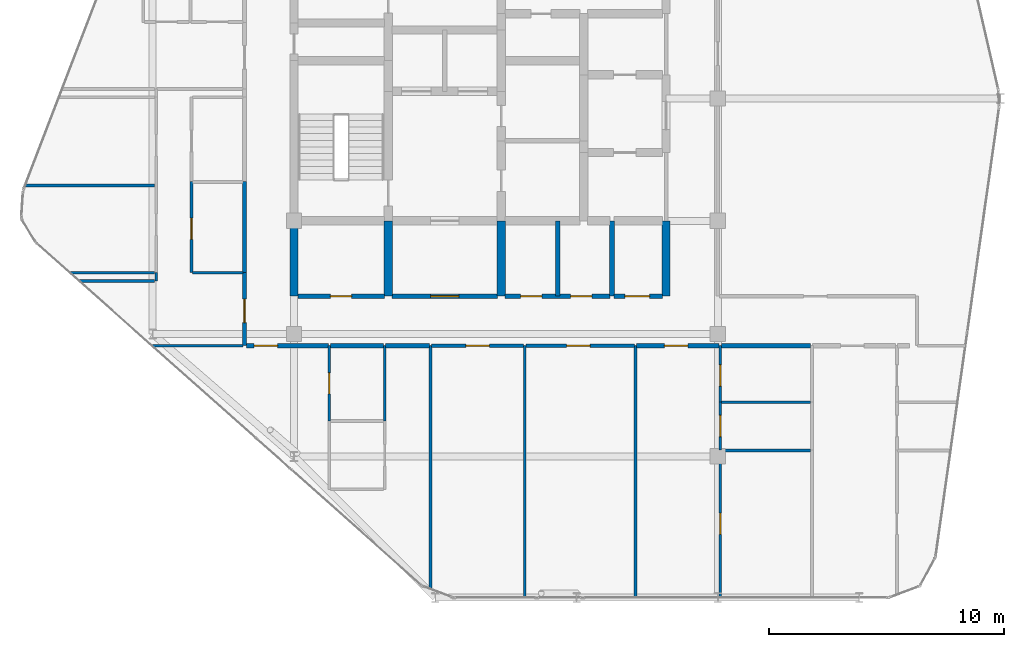
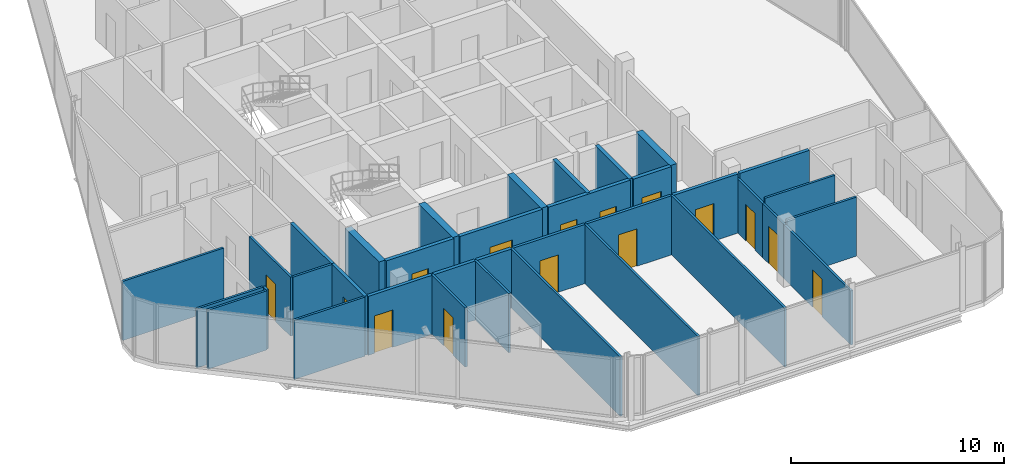
# One storey, part 22 of 27: 36 walls, 15 doors, 15 openings.
"""IFC4 building model written with IfcOpenShell, lengths in metres."""

from ifc_helpers import new_model, si_unit, direction, frame, frame_2d, origin, place, context, subcontext, project, spatial, rectangle, extrude, material, layer, layer_set, type_object, element, fill, save


model = new_model("IFC4")

# Units and contexts
model_context = context("Model", 3, precision=1e-05, world=origin(), true_north=direction((0.0, 1.0)))
body_context = subcontext(model_context, "Body", "Model", "MODEL_VIEW")
ifc_project = project(units=[si_unit("LENGTHUNIT", "METRE"), si_unit("AREAUNIT", "SQUARE_METRE"), si_unit("VOLUMEUNIT", "CUBIC_METRE"), si_unit("PLANEANGLEUNIT", "RADIAN"), si_unit("MASSUNIT", "GRAM", prefix="KILO")], contexts=[model_context])

# Site, building, storey
site_placement = place(None, origin())
site = spatial("IfcSite", under=ifc_project, at=site_placement, CompositionType="ELEMENT")
building_placement = place(site_placement, origin())
building = spatial("IfcBuilding", under=site, at=building_placement, Name="Keshet Zoharim Tower", CompositionType="ELEMENT")
storey_placement = place(building_placement, frame((0.0, 0.0, 284.300048828125)))
storey = spatial("IfcBuildingStorey", under=building, at=storey_placement, Name="L71", CompositionType="ELEMENT", Elevation=284.300048828125)

# Wall, opening, door
ifc_material_1 = material(Name="Gypsum Plasterboard", Category="gypsum")
ifc_layer_1 = layer(ifc_material_1, 0.14990234375)
ifc_layer_set_1 = layer_set([ifc_layer_1], Name="Gypsum Plasterboard")
wall_type_1 = type_object("IfcWallType", Name="WL-CLIN-150", PredefinedType="STANDARD", material=ifc_layer_set_1)
wall_1_placement = place(storey_placement, frame((20.844970703125, 17.39990234375, 0.0), z_axis=(0.0, 0.0, 1.0), x_axis=(1.0, 0.0, 0.0)))
wall_1 = element("IfcWall", 1, at=wall_1_placement, inside=storey, type_object=wall_type_1, Name="L71 Interior Wall 092", PredefinedType="STANDARD", context=body_context, shape_type="SweptSolid", body=[
    extrude(rectangle(XDim=3.909912109375, YDim=0.14990234375, at=frame_2d((1.955078125, 0.0))), origin(), (0.0, 0.0, 1.0), 3.389892578125),
])
opening_1_placement = place(wall_1_placement, frame((1.455078125, 0.0, 0.0)))
opening_1 = element("IfcOpeningElement", 2, at=opening_1_placement, cuts=wall_1, Name="Opening D-F310", PredefinedType="OPENING", context=body_context, shape_type="SweptSolid", body=[
    extrude(rectangle(XDim=1.0, YDim=2.14990234375, at=frame_2d((0.5, 1.074951171875))), frame((0.0, 0.0849609375, 0.0), z_axis=(0.0, -1.0, 0.0), x_axis=(1.0, 0.0, 0.0)), (0.0, 0.0, 1.0), 0.169921875),
])
ifc_material_2 = material(Name="Hardwood Timber", Category="wood")
door_type_1 = type_object("IfcDoorType", Name="DR-FD30-100", OperationType="NOTDEFINED", PredefinedType="DOOR", material=ifc_material_2)
door_1_placement = place(opening_1_placement, origin())
door_1 = element("IfcDoor", 3, at=door_1_placement, inside=storey, type_object=door_type_1, Name="L71 Residents Music Studio Door", OperationType="SINGLE_SWING_LEFT", OverallHeight=2.14990234375, OverallWidth=1.0, PredefinedType="DOOR", context=body_context, shape_type="SweptSolid", body=[
    extrude(rectangle(XDim=1.0, YDim=2.14990234375, at=frame_2d((0.5, 1.074951171875))), frame((0.0, 0.02490234375, 0.0), z_axis=(0.0, -1.0, 0.0), x_axis=(1.0, 0.0, 0.0)), (0.0, 0.0, 1.0), 0.050048828125),
])
fill(opening_1, door_1)

wall_2_placement = place(storey_placement, frame((24.844970703125, 17.39990234375, 0.0), z_axis=(0.0, 0.0, 1.0), x_axis=(1.0, 0.0, 0.0)))
wall_2 = element("IfcWall", 4, at=wall_2_placement, inside=storey, type_object=wall_type_1, Name="L71 Interior Wall 093", PredefinedType="STANDARD", context=body_context, shape_type="SweptSolid", body=[
    extrude(rectangle(XDim=4.610107421875, YDim=0.14990234375, at=frame_2d((2.30517578125, 0.0))), origin(), (0.0, 0.0, 1.0), 3.389892578125),
])
opening_2_placement = place(wall_2_placement, frame((1.73388671875, 0.0, 0.0)))
opening_2 = element("IfcOpeningElement", 5, at=opening_2_placement, cuts=wall_2, Name="Opening D-F310", PredefinedType="OPENING", context=body_context, shape_type="SweptSolid", body=[
    extrude(rectangle(XDim=1.0, YDim=2.14990234375, at=frame_2d((0.5, 1.074951171875))), frame((0.0, 0.0849609375, 0.0), z_axis=(0.0, -1.0, 0.0), x_axis=(1.0, 0.0, 0.0)), (0.0, 0.0, 1.0), 0.169921875),
])
door_2_placement = place(opening_2_placement, origin())
door_2 = element("IfcDoor", 6, at=door_2_placement, inside=storey, type_object=door_type_1, Name="L71 Residents Art Workshop Door", OperationType="SINGLE_SWING_RIGHT", OverallHeight=2.14990234375, OverallWidth=1.0, PredefinedType="DOOR", context=body_context, shape_type="SweptSolid", body=[
    extrude(rectangle(XDim=1.0, YDim=2.14990234375, at=frame_2d((0.5, 1.074951171875))), frame((0.0, 0.02490234375, 0.0), z_axis=(0.0, -1.0, 0.0), x_axis=(1.0, 0.0, 0.0)), (0.0, 0.0, 1.0), 0.050048828125),
])
fill(opening_2, door_2)

# Walls
ifc_material_3 = material(Name="Concrete C60/75", Category="concrete")
ifc_layer_2 = layer(ifc_material_3, 0.35009765625)
ifc_layer_set_2 = layer_set([ifc_layer_2], Name="Concrete C60/75")
wall_type_2 = type_object("IfcWallType", Name="WL-CORE-350", PredefinedType="SHEAR", material=ifc_layer_set_2)
for number, where, z_axis, x_axis, name in (
    (7, (15.0, 19.5, 0.0), (0.0, 0.0, 1.0), (0.0, 1.0, 0.0), "L71 Core Shear Wall 016"),
    (8, (19.0, 19.5, 0.0), (0.0, 0.0, 1.0), (0.0, 1.0, 0.0), "L71 Core Shear Wall 026"),
    (9, (23.800048828125, 19.5, 0.0), (0.0, 0.0, 1.0), (0.0, 1.0, 0.0), "L71 Core Shear Wall 038"),
    (10, (30.800048828125, 19.5, 0.0), (0.0, 0.0, 1.0), (0.0, 1.0, 0.0), "L71 Core Shear Wall 058"),
):
    element("IfcWall", number, at=place(storey_placement, frame(where, z_axis=z_axis, x_axis=x_axis)), inside=storey, type_object=wall_type_2, Name=name, PredefinedType="SHEAR", context=body_context, shape_type="SweptSolid", body=[
        extrude(rectangle(XDim=3.199951171875, YDim=0.35009765625, at=frame_2d((1.60009765625, 0.0))), origin(), (0.0, 0.0, 1.0), 3.389892578125),
    ])

# Wall, opening, door
ifc_layer_3 = layer(ifc_material_1, 0.179931640625)
ifc_layer_set_3 = layer_set([ifc_layer_3], Name="Gypsum Plasterboard")
wall_type_3 = type_object("IfcWallType", Name="WL-CORR-180", PredefinedType="STANDARD", material=ifc_layer_set_3)
wall_3_placement = place(storey_placement, frame((12.89990234375, 17.39990234375, 0.0), z_axis=(0.0, 0.0, 1.0), x_axis=(0.0, 1.0, 0.0)))
wall_3 = element("IfcWall", 11, at=wall_3_placement, inside=storey, type_object=wall_type_3, Name="L71 Interior Wall 008", PredefinedType="STANDARD", context=body_context, shape_type="SweptSolid", body=[
    extrude(rectangle(XDim=3.10009765625, YDim=0.179931640625, at=frame_2d((1.550048828125, 0.0))), origin(), (0.0, 0.0, 1.0), 3.389892578125),
])
opening_3_placement = place(wall_3_placement, frame((0.97802734375, 0.0, 0.0)))
opening_3 = element("IfcOpeningElement", 12, at=opening_3_placement, cuts=wall_3, Name="Opening D-F310", PredefinedType="OPENING", context=body_context, shape_type="SweptSolid", body=[
    extrude(rectangle(XDim=1.0, YDim=2.14990234375, at=frame_2d((0.5, 1.074951171875))), frame((0.0, 0.10009765625, 0.0), z_axis=(0.0, -1.0, 0.0), x_axis=(1.0, 0.0, 0.0)), (0.0, 0.0, 1.0), 0.199951171875),
])
door_3_placement = place(opening_3_placement, origin())
door_3 = element("IfcDoor", 13, at=door_3_placement, inside=storey, type_object=door_type_1, Name="Apartment 7107 Entrance Door", OperationType="SINGLE_SWING_LEFT", OverallHeight=2.14990234375, OverallWidth=1.0, PredefinedType="DOOR", context=body_context, shape_type="SweptSolid", body=[
    extrude(rectangle(XDim=1.0, YDim=2.14990234375, at=frame_2d((0.5, 1.074951171875))), frame((0.0, 0.02490234375, 0.0), z_axis=(0.0, -1.0, 0.0), x_axis=(1.0, 0.0, 0.0)), (0.0, 0.0, 1.0), 0.050048828125),
])
fill(opening_3, door_3)

# Wall
wall_4_placement = place(storey_placement, frame((12.89990234375, 20.5, 0.0), z_axis=(0.0, 0.0, 1.0), x_axis=(0.0, 1.0, 0.0)))
element("IfcWall", 14, at=wall_4_placement, inside=storey, type_object=wall_type_3, Name="L71 Interior Wall 009", PredefinedType="STANDARD", context=body_context, shape_type="SweptSolid", body=[
    extrude(rectangle(XDim=3.8740234375, YDim=0.179931640625, at=frame_2d((1.93701171875, 0.0))), origin(), (0.0, 0.0, 1.0), 3.389892578125),
])

# Wall, opening, door
wall_5_placement = place(storey_placement, frame((12.97509765625, 17.39990234375, 0.0), z_axis=(0.0, 0.0, 1.0), x_axis=(1.0, 0.0, 0.0)))
wall_5 = element("IfcWall", 15, at=wall_5_placement, inside=storey, type_object=wall_type_3, Name="L71 Interior Wall 089", PredefinedType="STANDARD", context=body_context, shape_type="SweptSolid", body=[
    extrude(rectangle(XDim=3.47998046875, YDim=0.179931640625, at=frame_2d((1.739990234375, 0.0))), origin(), (0.0, 0.0, 1.0), 3.389892578125),
])
opening_4_placement = place(wall_5_placement, frame((0.3330078125, 0.0, 0.0)))
opening_4 = element("IfcOpeningElement", 16, at=opening_4_placement, cuts=wall_5, Name="Opening D-F310", PredefinedType="OPENING", context=body_context, shape_type="SweptSolid", body=[
    extrude(rectangle(XDim=1.0, YDim=2.14990234375, at=frame_2d((0.5, 1.074951171875))), frame((0.0, 0.10009765625, 0.0), z_axis=(0.0, -1.0, 0.0), x_axis=(1.0, 0.0, 0.0)), (0.0, 0.0, 1.0), 0.199951171875),
])
door_4_placement = place(opening_4_placement, origin())
door_4 = element("IfcDoor", 17, at=door_4_placement, inside=storey, type_object=door_type_1, Name="Apartment 7101 Entrance Door", OperationType="SINGLE_SWING_RIGHT", OverallHeight=2.14990234375, OverallWidth=1.0, PredefinedType="DOOR", context=body_context, shape_type="SweptSolid", body=[
    extrude(rectangle(XDim=1.0, YDim=2.14990234375, at=frame_2d((0.5, 1.074951171875))), frame((0.0, 0.02490234375, 0.0), z_axis=(0.0, -1.0, 0.0), x_axis=(1.0, 0.0, 0.0)), (0.0, 0.0, 1.0), 0.050048828125),
])
fill(opening_4, door_4)

# Walls
wall_6_placement = place(storey_placement, frame((16.544921875, 17.39990234375, 0.0), z_axis=(0.0, 0.0, 1.0), x_axis=(1.0, 0.0, 0.0)))
element("IfcWall", 18, at=wall_6_placement, inside=storey, type_object=wall_type_3, Name="L71 Interior Wall 090", PredefinedType="STANDARD", context=body_context, shape_type="SweptSolid", body=[
    extrude(rectangle(XDim=2.260009765625, YDim=0.179931640625, at=frame_2d((1.1298828125, 0.0))), origin(), (0.0, 0.0, 1.0), 3.389892578125),
])
wall_7_placement = place(storey_placement, frame((18.89501953125, 17.39990234375, 0.0), z_axis=(0.0, 0.0, 1.0), x_axis=(1.0, 0.0, 0.0)))
element("IfcWall", 19, at=wall_7_placement, inside=storey, type_object=wall_type_3, Name="L71 Interior Wall 091", PredefinedType="STANDARD", context=body_context, shape_type="SweptSolid", body=[
    extrude(rectangle(XDim=1.85986328125, YDim=0.179931640625, at=frame_2d((0.929931640625, 0.0))), origin(), (0.0, 0.0, 1.0), 3.389892578125),
])

# Wall, opening, door
wall_8_placement = place(storey_placement, frame((29.544921875, 17.39990234375, 0.0), z_axis=(0.0, 0.0, 1.0), x_axis=(1.0, 0.0, 0.0)))
wall_8 = element("IfcWall", 20, at=wall_8_placement, inside=storey, type_object=wall_type_3, Name="L71 Interior Wall 094", PredefinedType="STANDARD", context=body_context, shape_type="SweptSolid", body=[
    extrude(rectangle(XDim=3.510009765625, YDim=0.179931640625, at=frame_2d((1.7548828125, 0.0))), origin(), (0.0, 0.0, 1.0), 3.389892578125),
])
opening_5_placement = place(wall_8_placement, frame((1.18505859375, 0.0, 0.0)))
opening_5 = element("IfcOpeningElement", 21, at=opening_5_placement, cuts=wall_8, Name="Opening D-F310", PredefinedType="OPENING", context=body_context, shape_type="SweptSolid", body=[
    extrude(rectangle(XDim=1.0, YDim=2.14990234375, at=frame_2d((0.5, 1.074951171875))), frame((0.0, 0.10009765625, 0.0), z_axis=(0.0, -1.0, 0.0), x_axis=(1.0, 0.0, 0.0)), (0.0, 0.0, 1.0), 0.199951171875),
])
door_5_placement = place(opening_5_placement, origin())
door_5 = element("IfcDoor", 22, at=door_5_placement, inside=storey, type_object=door_type_1, Name="Apartment 7102 Entrance Door", OperationType="SINGLE_SWING_LEFT", OverallHeight=2.14990234375, OverallWidth=1.0, PredefinedType="DOOR", context=body_context, shape_type="SweptSolid", body=[
    extrude(rectangle(XDim=1.0, YDim=2.14990234375, at=frame_2d((0.5, 1.074951171875))), frame((0.0, 0.02490234375, 0.0), z_axis=(0.0, -1.0, 0.0), x_axis=(1.0, 0.0, 0.0)), (0.0, 0.0, 1.0), 0.050048828125),
])
fill(opening_5, door_5)

# Walls
wall_9_placement = place(storey_placement, frame((33.14501953125, 17.39990234375, 0.0), z_axis=(0.0, 0.0, 1.0), x_axis=(1.0, 0.0, 0.0)))
element("IfcWall", 23, at=wall_9_placement, inside=storey, type_object=wall_type_3, Name="L71 Interior Wall 095", PredefinedType="STANDARD", context=body_context, shape_type="SweptSolid", body=[
    extrude(rectangle(XDim=3.7900390625, YDim=0.179931640625, at=frame_2d((1.89501953125, 0.0))), origin(), (0.0, 0.0, 1.0), 3.389892578125),
])
ifc_material_4 = material(Name="Concrete C50/60", Category="concrete")
ifc_layer_4 = layer(ifc_material_4, 0.199951171875)
ifc_layer_set_4 = layer_set([ifc_layer_4], Name="Concrete C50/60")
wall_type_4 = type_object("IfcWallType", Name="WL-FIRE-200", PredefinedType="STANDARD", material=ifc_layer_set_4)
for number, where, z_axis, x_axis, name in (
    (24, (26.199951171875, 19.5, 0.0), (0.0, 0.0, 1.0), (0.0, 1.0, 0.0), "L71 Interior Wall 046"),
    (25, (28.5, 19.5, 0.0), (0.0, 0.0, 1.0), (0.0, 1.0, 0.0), "L71 Interior Wall 054"),
):
    element("IfcWall", number, at=place(storey_placement, frame(where, z_axis=z_axis, x_axis=x_axis)), inside=storey, type_object=wall_type_4, Name=name, PredefinedType="STANDARD", context=body_context, shape_type="SweptSolid", body=[
        extrude(rectangle(XDim=3.199951171875, YDim=0.199951171875, at=frame_2d((1.60009765625, 0.0))), origin(), (0.0, 0.0, 1.0), 3.389892578125),
    ])

# Wall, opening, door
wall_10_placement = place(storey_placement, frame((15.159912109375, 19.5, 0.0), z_axis=(0.0, 0.0, 1.0), x_axis=(1.0, 0.0, 0.0)))
wall_10 = element("IfcWall", 26, at=wall_10_placement, inside=storey, type_object=wall_type_4, Name="L71 Interior Wall 099", PredefinedType="STANDARD", context=body_context, shape_type="SweptSolid", body=[
    extrude(rectangle(XDim=3.68017578125, YDim=0.199951171875, at=frame_2d((1.840087890625, 0.0))), origin(), (0.0, 0.0, 1.0), 3.389892578125),
])
opening_6_placement = place(wall_10_placement, frame((1.389892578125, 0.0, 0.0)))
opening_6 = element("IfcOpeningElement", 27, at=opening_6_placement, cuts=wall_10, Name="Opening D-F690", PredefinedType="OPENING", context=body_context, shape_type="SweptSolid", body=[
    extrude(rectangle(XDim=0.89990234375, YDim=2.14990234375, at=frame_2d((0.449951171875, 1.074951171875))), frame((0.0, 0.10986328125, 0.0), z_axis=(0.0, -1.0, 0.0), x_axis=(1.0, 0.0, 0.0)), (0.0, 0.0, 1.0), 0.219970703125),
])
door_type_2 = type_object("IfcDoorType", Name="DR-FD60-090", OperationType="NOTDEFINED", PredefinedType="DOOR", material=ifc_material_2)
door_6_placement = place(opening_6_placement, origin())
door_6 = element("IfcDoor", 28, at=door_6_placement, inside=storey, type_object=door_type_2, Name="L71 Pram Store Door", OperationType="SINGLE_SWING_LEFT", OverallHeight=2.14990234375, OverallWidth=0.89990234375, PredefinedType="DOOR", context=body_context, shape_type="SweptSolid", body=[
    extrude(rectangle(XDim=0.89990234375, YDim=2.14990234375, at=frame_2d((0.449951171875, 1.074951171875))), frame((0.0, 0.02490234375, 0.0), z_axis=(0.0, -1.0, 0.0), x_axis=(1.0, 0.0, 0.0)), (0.0, 0.0, 1.0), 0.050048828125),
])
fill(opening_6, door_6)

wall_11_placement = place(storey_placement, frame((19.159912109375, 19.5, 0.0), z_axis=(0.0, 0.0, 1.0), x_axis=(1.0, 0.0, 0.0)))
wall_11 = element("IfcWall", 29, at=wall_11_placement, inside=storey, type_object=wall_type_4, Name="L71 Interior Wall 100", PredefinedType="STANDARD", context=body_context, shape_type="SweptSolid", body=[
    extrude(rectangle(XDim=4.47998046875, YDim=0.199951171875, at=frame_2d((2.239990234375, 0.0))), origin(), (0.0, 0.0, 1.0), 3.389892578125),
])
opening_7_placement = place(wall_11_placement, frame((1.639892578125, 0.0, 0.0)))
opening_7 = element("IfcOpeningElement", 30, at=opening_7_placement, cuts=wall_11, Name="Opening D-F612", PredefinedType="OPENING", context=body_context, shape_type="SweptSolid", body=[
    extrude(rectangle(XDim=1.199951171875, YDim=2.199951171875, at=frame_2d((0.60009765625, 1.10009765625))), frame((0.0, 0.10986328125, 0.0), z_axis=(0.0, -1.0, 0.0), x_axis=(1.0, 0.0, 0.0)), (0.0, 0.0, 1.0), 0.219970703125),
])
door_type_3 = type_object("IfcDoorType", Name="DR-FD60-120", OperationType="NOTDEFINED", PredefinedType="DOOR", material=ifc_material_2)
door_7_placement = place(opening_7_placement, origin())
door_7 = element("IfcDoor", 31, at=door_7_placement, inside=storey, type_object=door_type_3, Name="L71 South Vestibule Corridor Door", OperationType="SINGLE_SWING_RIGHT", OverallHeight=2.199951171875, OverallWidth=1.199951171875, PredefinedType="DOOR", context=body_context, shape_type="SweptSolid", body=[
    extrude(rectangle(XDim=1.199951171875, YDim=2.199951171875, at=frame_2d((0.60009765625, 1.10009765625))), frame((0.0, 0.02490234375, 0.0), z_axis=(0.0, -1.0, 0.0), x_axis=(1.0, 0.0, 0.0)), (0.0, 0.0, 1.0), 0.050048828125),
])
fill(opening_7, door_7)

# Wall, openings, doors
wall_12_placement = place(storey_placement, frame((23.9599609375, 19.5, 0.0), z_axis=(0.0, 0.0, 1.0), x_axis=(1.0, 0.0, 0.0)))
wall_12 = element("IfcWall", 32, at=wall_12_placement, inside=storey, type_object=wall_type_4, Name="L71 Interior Wall 101", PredefinedType="STANDARD", context=body_context, shape_type="SweptSolid", body=[
    extrude(rectangle(XDim=4.455078125, YDim=0.199951171875, at=frame_2d((2.2275390625, 0.0))), origin(), (0.0, 0.0, 1.0), 3.389892578125),
])
opening_8_placement = place(wall_12_placement, frame((0.6650390625, 0.0, 0.0)))
opening_8 = element("IfcOpeningElement", 33, at=opening_8_placement, cuts=wall_12, Name="Opening D-F690", PredefinedType="OPENING", context=body_context, shape_type="SweptSolid", body=[
    extrude(rectangle(XDim=0.89990234375, YDim=2.14990234375, at=frame_2d((0.449951171875, 1.074951171875))), frame((0.0, 0.10986328125, 0.0), z_axis=(0.0, -1.0, 0.0), x_axis=(1.0, 0.0, 0.0)), (0.0, 0.0, 1.0), 0.219970703125),
])
opening_9_placement = place(wall_12_placement, frame((2.791015625, 0.0, 0.0)))
opening_9 = element("IfcOpeningElement", 34, at=opening_9_placement, cuts=wall_12, Name="Opening D-F690", PredefinedType="OPENING", context=body_context, shape_type="SweptSolid", body=[
    extrude(rectangle(XDim=0.89990234375, YDim=2.14990234375, at=frame_2d((0.449951171875, 1.074951171875))), frame((0.0, 0.10986328125, 0.0), z_axis=(0.0, -1.0, 0.0), x_axis=(1.0, 0.0, 0.0)), (0.0, 0.0, 1.0), 0.219970703125),
])
door_8_placement = place(opening_8_placement, origin())
door_8 = element("IfcDoor", 35, at=door_8_placement, inside=storey, type_object=door_type_2, Name="L71 Switchgear Room Door", OperationType="SINGLE_SWING_LEFT", OverallHeight=2.14990234375, OverallWidth=0.89990234375, PredefinedType="DOOR", context=body_context, shape_type="SweptSolid", body=[
    extrude(rectangle(XDim=0.89990234375, YDim=2.14990234375, at=frame_2d((0.449951171875, 1.074951171875))), frame((0.0, 0.02490234375, 0.0), z_axis=(0.0, -1.0, 0.0), x_axis=(1.0, 0.0, 0.0)), (0.0, 0.0, 1.0), 0.050048828125),
])
fill(opening_8, door_8)
door_9_placement = place(opening_9_placement, origin())
door_9 = element("IfcDoor", 36, at=door_9_placement, inside=storey, type_object=door_type_2, Name="L71 Telecom Room Door", OperationType="SINGLE_SWING_RIGHT", OverallHeight=2.14990234375, OverallWidth=0.89990234375, PredefinedType="DOOR", context=body_context, shape_type="SweptSolid", body=[
    extrude(rectangle(XDim=0.89990234375, YDim=2.14990234375, at=frame_2d((0.449951171875, 1.074951171875))), frame((0.0, 0.02490234375, 0.0), z_axis=(0.0, -1.0, 0.0), x_axis=(1.0, 0.0, 0.0)), (0.0, 0.0, 1.0), 0.050048828125),
])
fill(opening_9, door_9)

# Wall, opening, door
wall_13_placement = place(storey_placement, frame((28.5849609375, 19.5, 0.0), z_axis=(0.0, 0.0, 1.0), x_axis=(1.0, 0.0, 0.0)))
wall_13 = element("IfcWall", 37, at=wall_13_placement, inside=storey, type_object=wall_type_4, Name="L71 Interior Wall 102", PredefinedType="STANDARD", context=body_context, shape_type="SweptSolid", body=[
    extrude(rectangle(XDim=2.054931640625, YDim=0.199951171875, at=frame_2d((1.02734375, 0.0))), origin(), (0.0, 0.0, 1.0), 3.389892578125),
])
opening_10_placement = place(wall_13_placement, frame((0.466064453125, 0.0, 0.0)))
opening_10 = element("IfcOpeningElement", 38, at=opening_10_placement, cuts=wall_13, Name="Opening D-AC10", PredefinedType="OPENING", context=body_context, shape_type="SweptSolid", body=[
    extrude(rectangle(XDim=1.050048828125, YDim=2.14990234375, at=frame_2d((0.52490234375, 1.074951171875))), frame((0.0, 0.10986328125, 0.0), z_axis=(0.0, -1.0, 0.0), x_axis=(1.0, 0.0, 0.0)), (0.0, 0.0, 1.0), 0.219970703125),
])
door_type_4 = type_object("IfcDoorType", Name="DR-ACC-105", OperationType="NOTDEFINED", PredefinedType="DOOR", material=ifc_material_2)
door_10_placement = place(opening_10_placement, origin())
door_10 = element("IfcDoor", 39, at=door_10_placement, inside=storey, type_object=door_type_4, Name="L71 Accessible WC Door", OperationType="SINGLE_SWING_LEFT", OverallHeight=2.14990234375, OverallWidth=1.050048828125, PredefinedType="DOOR", context=body_context, shape_type="SweptSolid", body=[
    extrude(rectangle(XDim=1.050048828125, YDim=2.14990234375, at=frame_2d((0.52490234375, 1.074951171875))), frame((0.0, 0.02490234375, 0.0), z_axis=(0.0, -1.0, 0.0), x_axis=(1.0, 0.0, 0.0)), (0.0, 0.0, 1.0), 0.050048828125),
])
fill(opening_10, door_10)

# Wall
ifc_layer_5 = layer(ifc_material_1, 0.1201171875)
ifc_layer_set_5 = layer_set([ifc_layer_5], Name="Gypsum Plasterboard")
wall_type_5 = type_object("IfcWallType", Name="WL-PART-120", PredefinedType="PARTITIONING", material=ifc_layer_set_5)
wall_14_placement = place(storey_placement, frame((9.14990234375, 20.14990234375, 0.0), z_axis=(0.0, 0.0, 1.0), x_axis=(0.0, 1.0, 0.0)))
element("IfcWall", 40, at=wall_14_placement, inside=storey, type_object=wall_type_5, Name="L71 Interior Wall 002", PredefinedType="PARTITIONING", context=body_context, shape_type="SweptSolid", body=[
    extrude(rectangle(XDim=0.35009765625, YDim=0.1201171875, at=frame_2d((0.175048828125, 0.0))), origin(), (0.0, 0.0, 1.0), 3.389892578125),
])

# Wall, opening, door
wall_15_placement = place(storey_placement, frame((10.64990234375, 20.5, 0.0), z_axis=(0.0, 0.0, 1.0), x_axis=(0.0, 1.0, 0.0)))
wall_15 = element("IfcWall", 41, at=wall_15_placement, inside=storey, type_object=wall_type_5, Name="L71 Interior Wall 006", PredefinedType="PARTITIONING", context=body_context, shape_type="SweptSolid", body=[
    extrude(rectangle(XDim=3.8740234375, YDim=0.1201171875, at=frame_2d((1.93701171875, 0.0))), origin(), (0.0, 0.0, 1.0), 3.389892578125),
])
opening_11_placement = place(wall_15_placement, frame((1.4150390625, 0.0, 0.0)))
opening_11 = element("IfcOpeningElement", 42, at=opening_11_placement, cuts=wall_15, Name="Opening D-IN90", PredefinedType="OPENING", context=body_context, shape_type="SweptSolid", body=[
    extrude(rectangle(XDim=0.89990234375, YDim=2.14990234375, at=frame_2d((0.449951171875, 1.074951171875))), frame((0.0, 0.070068359375, 0.0), z_axis=(0.0, -1.0, 0.0), x_axis=(1.0, 0.0, 0.0)), (0.0, 0.0, 1.0), 0.14013671875),
])
door_type_5 = type_object("IfcDoorType", Name="DR-INT-090", OperationType="NOTDEFINED", PredefinedType="DOOR", material=ifc_material_2)
door_11_placement = place(opening_11_placement, origin())
door_11 = element("IfcDoor", 43, at=door_11_placement, inside=storey, type_object=door_type_5, Name="Apartment 7107 Kitchen Door", OperationType="SINGLE_SWING_LEFT", OverallHeight=2.14990234375, OverallWidth=0.89990234375, PredefinedType="DOOR", context=body_context, shape_type="SweptSolid", body=[
    extrude(rectangle(XDim=0.89990234375, YDim=2.14990234375, at=frame_2d((0.449951171875, 1.074951171875))), frame((0.0, 0.02490234375, 0.0), z_axis=(0.0, -1.0, 0.0), x_axis=(1.0, 0.0, 0.0)), (0.0, 0.0, 1.0), 0.050048828125),
])
fill(opening_11, door_11)

wall_16_placement = place(storey_placement, frame((16.5, 14.199951171875, 0.0), z_axis=(0.0, 0.0, 1.0), x_axis=(0.0, 1.0, 0.0)))
wall_16 = element("IfcWall", 44, at=wall_16_placement, inside=storey, type_object=wall_type_5, Name="L71 Interior Wall 021", PredefinedType="PARTITIONING", context=body_context, shape_type="SweptSolid", body=[
    extrude(rectangle(XDim=3.199951171875, YDim=0.1201171875, at=frame_2d((1.60009765625, 0.0))), origin(), (0.0, 0.0, 1.0), 3.389892578125),
])
opening_12_placement = place(wall_16_placement, frame((1.14990234375, 0.0, 0.0)))
opening_12 = element("IfcOpeningElement", 45, at=opening_12_placement, cuts=wall_16, Name="Opening D-IN90", PredefinedType="OPENING", context=body_context, shape_type="SweptSolid", body=[
    extrude(rectangle(XDim=0.89990234375, YDim=2.14990234375, at=frame_2d((0.449951171875, 1.074951171875))), frame((0.0, 0.070068359375, 0.0), z_axis=(0.0, -1.0, 0.0), x_axis=(1.0, 0.0, 0.0)), (0.0, 0.0, 1.0), 0.14013671875),
])
door_12_placement = place(opening_12_placement, origin())
door_12 = element("IfcDoor", 46, at=door_12_placement, inside=storey, type_object=door_type_5, Name="Apartment 7101 Kitchenette Door", OperationType="SINGLE_SWING_RIGHT", OverallHeight=2.14990234375, OverallWidth=0.89990234375, PredefinedType="DOOR", context=body_context, shape_type="SweptSolid", body=[
    extrude(rectangle(XDim=0.89990234375, YDim=2.14990234375, at=frame_2d((0.449951171875, 1.074951171875))), frame((0.0, 0.02490234375, 0.0), z_axis=(0.0, -1.0, 0.0), x_axis=(1.0, 0.0, 0.0)), (0.0, 0.0, 1.0), 0.050048828125),
])
fill(opening_12, door_12)

# Walls
wall_17_placement = place(storey_placement, frame((18.85009765625, 14.199951171875, 0.0), z_axis=(0.0, 0.0, 1.0), x_axis=(0.0, 1.0, 0.0)))
element("IfcWall", 47, at=wall_17_placement, inside=storey, type_object=wall_type_5, Name="L71 Interior Wall 025", PredefinedType="PARTITIONING", context=body_context, shape_type="SweptSolid", body=[
    extrude(rectangle(XDim=3.199951171875, YDim=0.1201171875, at=frame_2d((1.60009765625, 0.0))), origin(), (0.0, 0.0, 1.0), 3.389892578125),
])
wall_18_placement = place(storey_placement, frame((20.800048828125, 7.074951171875, 0.0), z_axis=(0.0, 0.0, 1.0), x_axis=(0.0, 1.0, 0.0)))
element("IfcWall", 48, at=wall_18_placement, inside=storey, type_object=wall_type_5, Name="L71 Interior Wall 032", PredefinedType="PARTITIONING", context=body_context, shape_type="SweptSolid", body=[
    extrude(rectangle(XDim=10.324951171875, YDim=0.1201171875, at=frame_2d((5.16259765625, 0.0))), origin(), (0.0, 0.0, 1.0), 3.389892578125),
])
for number, where, z_axis, x_axis, name in (
    (49, (24.800048828125, 6.7099609375, 0.0), (0.0, 0.0, 1.0), (0.0, 1.0, 0.0), "L71 Interior Wall 045"),
    (50, (29.5, 6.7099609375, 0.0), (0.0, 0.0, 1.0), (0.0, 1.0, 0.0), "L71 Interior Wall 055"),
):
    element("IfcWall", number, at=place(storey_placement, frame(where, z_axis=z_axis, x_axis=x_axis)), inside=storey, type_object=wall_type_5, Name=name, PredefinedType="PARTITIONING", context=body_context, shape_type="SweptSolid", body=[
        extrude(rectangle(XDim=10.68994140625, YDim=0.1201171875, at=frame_2d((5.344970703125, 0.0))), origin(), (0.0, 0.0, 1.0), 3.389892578125),
    ])

# Wall, opening, door
wall_19_placement = place(storey_placement, frame((33.10009765625, 6.7099609375, 0.0), z_axis=(0.0, 0.0, 1.0), x_axis=(0.0, 1.0, 0.0)))
wall_19 = element("IfcWall", 51, at=wall_19_placement, inside=storey, type_object=wall_type_5, Name="L71 Interior Wall 066", PredefinedType="PARTITIONING", context=body_context, shape_type="SweptSolid", body=[
    extrude(rectangle(XDim=6.260009765625, YDim=0.1201171875, at=frame_2d((3.1298828125, 0.0))), origin(), (0.0, 0.0, 1.0), 3.099853515625),
])
opening_13_placement = place(wall_19_placement, frame((2.679931640625, 0.0, 0.0)))
opening_13 = element("IfcOpeningElement", 52, at=opening_13_placement, cuts=wall_19, Name="Opening D-IN90", PredefinedType="OPENING", context=body_context, shape_type="SweptSolid", body=[
    extrude(rectangle(XDim=0.89990234375, YDim=2.14990234375, at=frame_2d((0.449951171875, 1.074951171875))), frame((0.0, 0.070068359375, 0.0), z_axis=(0.0, -1.0, 0.0), x_axis=(1.0, 0.0, 0.0)), (0.0, 0.0, 1.0), 0.14013671875),
])
door_13_placement = place(opening_13_placement, origin())
door_13 = element("IfcDoor", 53, at=door_13_placement, inside=storey, type_object=door_type_5, Name="Apartment 7102 Bedroom 1 Door", OperationType="SINGLE_SWING_RIGHT", OverallHeight=2.14990234375, OverallWidth=0.89990234375, PredefinedType="DOOR", context=body_context, shape_type="SweptSolid", body=[
    extrude(rectangle(XDim=0.89990234375, YDim=2.14990234375, at=frame_2d((0.449951171875, 1.074951171875))), frame((0.0, 0.02490234375, 0.0), z_axis=(0.0, -1.0, 0.0), x_axis=(1.0, 0.0, 0.0)), (0.0, 0.0, 1.0), 0.050048828125),
])
fill(opening_13, door_13)

wall_20_placement = place(storey_placement, frame((33.10009765625, 12.969970703125, 0.0), z_axis=(0.0, 0.0, 1.0), x_axis=(0.0, 1.0, 0.0)))
wall_20 = element("IfcWall", 54, at=wall_20_placement, inside=storey, type_object=wall_type_5, Name="L71 Interior Wall 067", PredefinedType="PARTITIONING", context=body_context, shape_type="SweptSolid", body=[
    extrude(rectangle(XDim=2.0380859375, YDim=0.1201171875, at=frame_2d((1.01904296875, 0.0))), origin(), (0.0, 0.0, 1.0), 3.099853515625),
])
opening_14_placement = place(wall_20_placement, frame((0.569091796875, 0.0, 0.0)))
opening_14 = element("IfcOpeningElement", 55, at=opening_14_placement, cuts=wall_20, Name="Opening D-IN90", PredefinedType="OPENING", context=body_context, shape_type="SweptSolid", body=[
    extrude(rectangle(XDim=0.89990234375, YDim=2.14990234375, at=frame_2d((0.449951171875, 1.074951171875))), frame((0.0, 0.070068359375, 0.0), z_axis=(0.0, -1.0, 0.0), x_axis=(1.0, 0.0, 0.0)), (0.0, 0.0, 1.0), 0.14013671875),
])
door_14_placement = place(opening_14_placement, origin())
door_14 = element("IfcDoor", 56, at=door_14_placement, inside=storey, type_object=door_type_5, Name="Apartment 7102 Kitchen Door", OperationType="SINGLE_SWING_LEFT", OverallHeight=2.14990234375, OverallWidth=0.89990234375, PredefinedType="DOOR", context=body_context, shape_type="SweptSolid", body=[
    extrude(rectangle(XDim=0.89990234375, YDim=2.14990234375, at=frame_2d((0.449951171875, 1.074951171875))), frame((0.0, 0.02490234375, 0.0), z_axis=(0.0, -1.0, 0.0), x_axis=(1.0, 0.0, 0.0)), (0.0, 0.0, 1.0), 0.050048828125),
])
fill(opening_14, door_14)

# Walls
wall_21_placement = place(storey_placement, frame((33.14501953125, 12.949951171875, 0.0), z_axis=(0.0, 0.0, 1.0), x_axis=(1.0, 0.0, 0.0)))
element("IfcWall", 57, at=wall_21_placement, inside=storey, type_object=wall_type_5, Name="L71 Interior Wall 083", PredefinedType="PARTITIONING", context=body_context, shape_type="SweptSolid", body=[
    extrude(rectangle(XDim=3.7900390625, YDim=0.1201171875, at=frame_2d((1.89501953125, 0.0))), origin(), (0.0, 0.0, 1.0), 3.389892578125),
])
wall_22_placement = place(storey_placement, frame((8.972900390625, 17.39990234375, 0.0), z_axis=(0.0, 0.0, 1.0), x_axis=(1.0, 0.0, 0.0)))
element("IfcWall", 58, at=wall_22_placement, inside=storey, type_object=wall_type_5, Name="L71 Interior Wall 088", PredefinedType="PARTITIONING", context=body_context, shape_type="SweptSolid", body=[
    extrude(rectangle(XDim=3.85205078125, YDim=0.1201171875, at=frame_2d((1.926025390625, 0.0))), origin(), (0.0, 0.0, 1.0), 3.389892578125),
])
wall_23_placement = place(storey_placement, frame((5.87890625, 20.14990234375, 0.0), z_axis=(0.0, 0.0, 1.0), x_axis=(1.0, 0.0, 0.0)))
element("IfcWall", 59, at=wall_23_placement, inside=storey, type_object=wall_type_5, Name="L71 Interior Wall 104", PredefinedType="PARTITIONING", context=body_context, shape_type="SweptSolid", body=[
    extrude(rectangle(XDim=3.2060546875, YDim=0.1201171875, at=frame_2d((1.60302734375, 0.0))), origin(), (0.0, 0.0, 1.0), 3.389892578125),
])
wall_24_placement = place(storey_placement, frame((5.485107421875, 20.5, 0.0), z_axis=(0.0, 0.0, 1.0), x_axis=(1.0, 0.0, 0.0)))
element("IfcWall", 60, at=wall_24_placement, inside=storey, type_object=wall_type_5, Name="L71 Interior Wall 105", PredefinedType="PARTITIONING", context=body_context, shape_type="SweptSolid", body=[
    extrude(rectangle(XDim=3.599853515625, YDim=0.1201171875, at=frame_2d((1.7998046875, 0.0))), origin(), (0.0, 0.0, 1.0), 3.389892578125),
])
wall_25_placement = place(storey_placement, frame((10.695068359375, 20.5, 0.0), z_axis=(0.0, 0.0, 1.0), x_axis=(1.0, 0.0, 0.0)))
element("IfcWall", 61, at=wall_25_placement, inside=storey, type_object=wall_type_5, Name="L71 Interior Wall 106", PredefinedType="PARTITIONING", context=body_context, shape_type="SweptSolid", body=[
    extrude(rectangle(XDim=2.1298828125, YDim=0.1201171875, at=frame_2d((1.06494140625, 0.0))), origin(), (0.0, 0.0, 1.0), 3.389892578125),
])
wall_26_placement = place(storey_placement, frame((3.5869140625, 24.199951171875, 0.0), z_axis=(0.0, 0.0, 1.0), x_axis=(1.0, 0.0, 0.0)))
element("IfcWall", 62, at=wall_26_placement, inside=storey, type_object=wall_type_5, Name="L71 Interior Wall 112", PredefinedType="PARTITIONING", context=body_context, shape_type="SweptSolid", body=[
    extrude(rectangle(XDim=5.498046875, YDim=0.1201171875, at=frame_2d((2.7490234375, 0.0))), origin(), (0.0, 0.0, 1.0), 3.389892578125),
])

# Wall, opening, door
ifc_layer_6 = layer(ifc_material_1, 0.1201171875)
ifc_layer_set_6 = layer_set([ifc_layer_6], Name="Gypsum Plasterboard")
wall_type_6 = type_object("IfcWallType", Name="WL-WET-120", PredefinedType="PARTITIONING", material=ifc_layer_set_6)
wall_27_placement = place(storey_placement, frame((33.10009765625, 15.008056640625, 0.0), z_axis=(0.0, 0.0, 1.0), x_axis=(0.0, 1.0, 0.0)))
wall_27 = element("IfcWall", 63, at=wall_27_placement, inside=storey, type_object=wall_type_6, Name="L71 Interior Wall 068", PredefinedType="PARTITIONING", context=body_context, shape_type="SweptSolid", body=[
    extrude(rectangle(XDim=2.391845703125, YDim=0.1201171875, at=frame_2d((1.19580078125, 0.0))), origin(), (0.0, 0.0, 1.0), 3.099853515625),
])
opening_15_placement = place(wall_27_placement, frame((0.675048828125, 0.0, 0.0)))
opening_15 = element("IfcOpeningElement", 64, at=opening_15_placement, cuts=wall_27, Name="Opening D-WT90", PredefinedType="OPENING", context=body_context, shape_type="SweptSolid", body=[
    extrude(rectangle(XDim=0.89990234375, YDim=2.10009765625, at=frame_2d((0.449951171875, 1.050048828125))), frame((0.0, 0.070068359375, 0.0), z_axis=(0.0, -1.0, 0.0), x_axis=(1.0, 0.0, 0.0)), (0.0, 0.0, 1.0), 0.14013671875),
])
door_type_6 = type_object("IfcDoorType", Name="DR-WET-090", OperationType="NOTDEFINED", PredefinedType="DOOR", material=ifc_material_2)
door_15_placement = place(opening_15_placement, origin())
door_15 = element("IfcDoor", 65, at=door_15_placement, inside=storey, type_object=door_type_6, Name="Apartment 7102 Bathroom Door", OperationType="SINGLE_SWING_RIGHT", OverallHeight=2.10009765625, OverallWidth=0.89990234375, PredefinedType="DOOR", context=body_context, shape_type="SweptSolid", body=[
    extrude(rectangle(XDim=0.89990234375, YDim=2.10009765625, at=frame_2d((0.449951171875, 1.050048828125))), frame((0.0, 0.02490234375, 0.0), z_axis=(0.0, -1.0, 0.0), x_axis=(1.0, 0.0, 0.0)), (0.0, 0.0, 1.0), 0.050048828125),
])
fill(opening_15, door_15)

# Wall
wall_28_placement = place(storey_placement, frame((33.14501953125, 15.0, 0.0), z_axis=(0.0, 0.0, 1.0), x_axis=(1.0, 0.0, 0.0)))
element("IfcWall", 66, at=wall_28_placement, inside=storey, type_object=wall_type_6, Name="L71 Interior Wall 086", PredefinedType="PARTITIONING", context=body_context, shape_type="SweptSolid", body=[
    extrude(rectangle(XDim=3.7900390625, YDim=0.1201171875, at=frame_2d((1.89501953125, 0.0))), origin(), (0.0, 0.0, 1.0), 3.389892578125),
])

save(model, "model.ifc")
